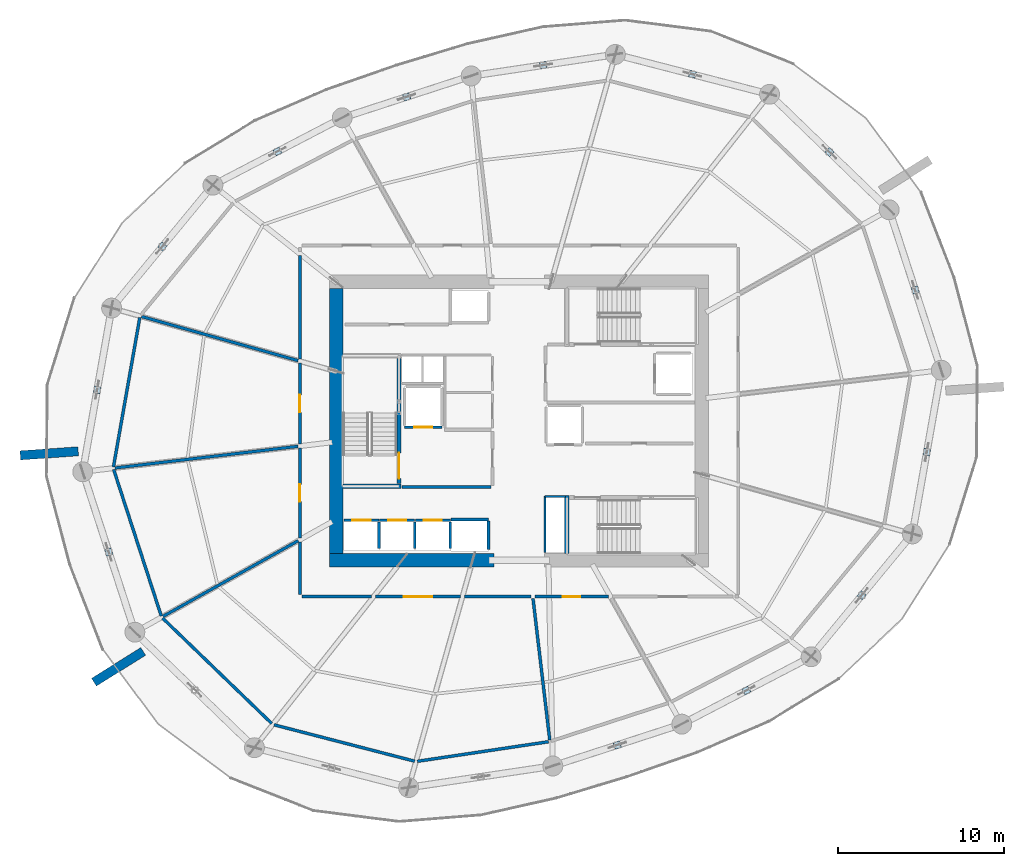
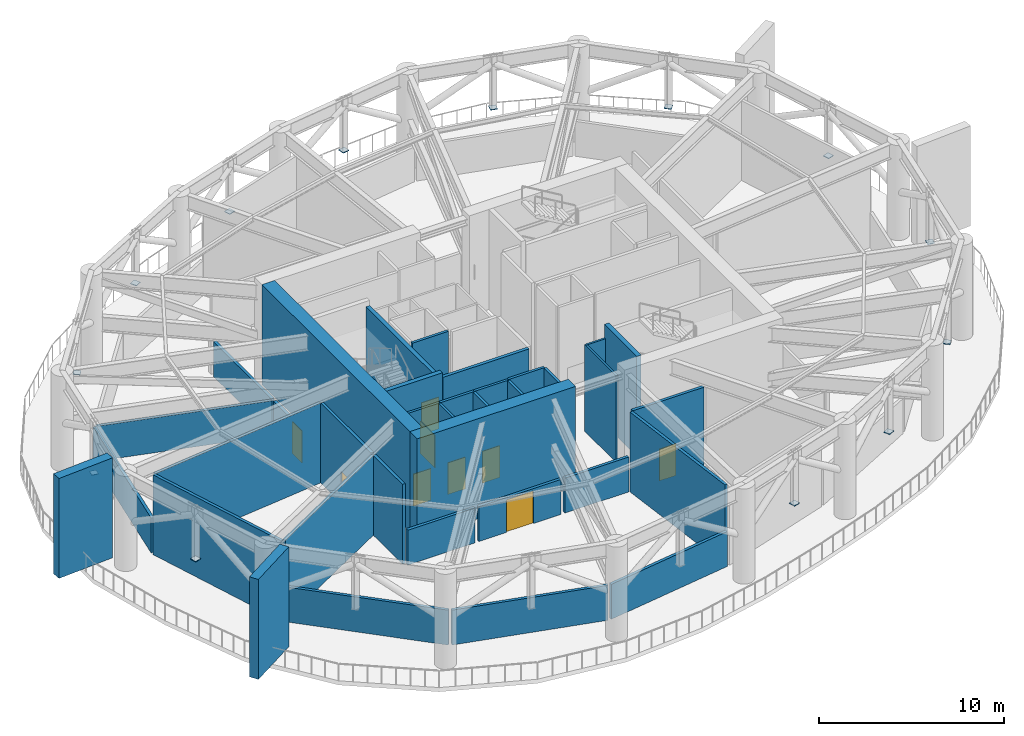
# One storey, part 11 of 19: 36 walls, 13 plates, 9 doors, 9 openings.
"""IFC4 building model written with IfcOpenShell, lengths in metres."""

from ifc_helpers import new_model, si_unit, direction, frame, frame_2d, origin, origin_2d, place, context, subcontext, project, spatial, rectangle, extrude, material, layer, layer_set, type_object, element, fill, save


model = new_model("IFC4")

# Units and contexts
model_context = context("Model", 3, precision=1e-05, world=origin(), true_north=direction((0.0, 1.0)))
body_context = subcontext(model_context, "Body", "Model", "MODEL_VIEW")
ifc_project = project(units=[si_unit("LENGTHUNIT", "METRE"), si_unit("AREAUNIT", "SQUARE_METRE"), si_unit("VOLUMEUNIT", "CUBIC_METRE"), si_unit("PLANEANGLEUNIT", "RADIAN"), si_unit("MASSUNIT", "GRAM", prefix="KILO")], contexts=[model_context])

# Site, building, storey
site_placement = place(None, origin())
site = spatial("IfcSite", under=ifc_project, at=site_placement, CompositionType="ELEMENT")
building_placement = place(site_placement, origin())
building = spatial("IfcBuilding", under=site, at=building_placement, Name="Kazma Halo Residences", CompositionType="ELEMENT")
storey_placement = place(building_placement, frame((0.0, 0.0, 116.39990234375)))
storey = spatial("IfcBuildingStorey", under=building, at=storey_placement, Name="L29", CompositionType="ELEMENT", Elevation=116.39990234375)

# Plates
ifc_material_1 = material(Name="Steel S355", Category="steel")
ifc_layer_1 = layer(ifc_material_1, 0.0400390625)
ifc_layer_set_1 = layer_set([ifc_layer_1], Name="Steel S355")
plate_type = type_object("IfcPlateType", Name="PLT-GUSSET-40", PredefinedType="SHEET", material=ifc_layer_set_1)
for number, where, z_axis, x_axis, name in (
    (1, (67.145263671875, 58.225830078125, 2.780029296875), (0.0, 0.0, 1.0), (-0.719341846867, 0.69465625121, 0.0), "L29 belt-truss post welded cap plate 01"),
    (2, (58.887451171875, 62.91259765625, 2.780029296875), (0.0, 0.0, 1.0), (-0.968126765452, 0.250460707529, 0.0), "L29 belt-truss post welded cap plate 02"),
    (3, (49.88671875, 63.46630859375, 2.780029296875), (0.0, 0.0, 1.0), (-0.989035596895, -0.147677310627, 0.0), "L29 belt-truss post welded cap plate 03"),
    (4, (41.64697265625, 61.552734375, 2.780029296875), (0.0, 0.0, 1.0), (-0.951053654169, -0.309025802956, 0.0), "L29 belt-truss post welded cap plate 04"),
    (5, (33.85595703125, 58.257568359375, 2.780029296875), (0.0, 0.0, 1.0), (-0.886956671645, -0.461852641677, 0.0), "L29 belt-truss post welded cap plate 05"),
    (6, (26.8994140625, 52.519287109375, 2.780029296875), (0.0, 0.0, 1.0), (-0.636001652074, -0.771687694964, 0.0), "L29 belt-truss post welded cap plate 06"),
    (7, (22.9736328125, 43.873779296875, 2.780029296875), (0.0, 0.0, 1.0), (-0.173659066943, -0.984805832877, 0.0), "L29 belt-truss post welded cap plate 07"),
    (8, (23.6748046875, 34.096435546875, 2.780029296875), (0.0, 0.0, 1.0), (0.309018737376, -0.951055949958, 0.0), "L29 belt-truss post welded cap plate 08"),
    (9, (54.35302734375, 22.447265625, 2.780029296875), (0.0, 0.0, 1.0), (0.951053654169, 0.309025802956, 0.0), "L29 belt-truss post welded cap plate 12"),
    (10, (62.14404296875, 25.742431640625, 2.780029296875), (0.0, 0.0, 1.0), (0.886956671645, 0.461852641677, 0.0), "L29 belt-truss post welded cap plate 13"),
    (11, (69.100341796875, 31.480712890625, 2.780029296875), (0.0, 0.0, 1.0), (0.636001652074, 0.771687694964, 0.0), "L29 belt-truss post welded cap plate 14"),
    (12, (73.0263671875, 40.126220703125, 2.780029296875), (0.0, 0.0, 1.0), (0.173659066943, 0.984805832877, 0.0), "L29 belt-truss post welded cap plate 15"),
    (13, (72.3251953125, 49.903564453125, 2.780029296875), (0.0, 0.0, 1.0), (-0.309018737376, 0.951055949958, 0.0), "L29 belt-truss post welded cap plate 16"),
):
    element("IfcPlate", number, at=place(storey_placement, frame(where, z_axis=z_axis, x_axis=x_axis)), inside=storey, type_object=plate_type, Name=name, PredefinedType="SHEET", context=body_context, shape_type="SweptSolid", body=[
        extrude(rectangle(XDim=0.39990234375, YDim=0.39990234375, at=origin_2d()), origin(), (0.0, 0.0, 1.0), 0.0400390625),
    ])

# Walls
ifc_material_2 = material(Name="Pale Concrete C60/75", Category="concrete")
ifc_layer_2 = layer(ifc_material_2, 0.550048828125)
ifc_layer_set_2 = layer_set([ifc_layer_2], Name="Pale Concrete C60/75")
wall_type_1 = type_object("IfcWallType", Name="WL-BLADE-550", PredefinedType="SOLIDWALL", material=ifc_layer_set_2)
for number, where, z_axis, x_axis, name in (
    (14, (21.828125, 40.169921875, 0.0), (0.0, 0.0, 1.0), (-0.997564163539, -0.069754853754, 0.0), "L29 pale concrete structural blade fin wall BW-02"),
    (15, (25.750732421875, 28.09716796875, 0.0), (0.0, 0.0, 1.0), (-0.848033572426, -0.529942506352, 0.0), "L29 pale concrete structural blade fin wall BW-03"),
):
    element("IfcWall", number, at=place(storey_placement, frame(where, z_axis=z_axis, x_axis=x_axis)), inside=storey, type_object=wall_type_1, Name=name, PredefinedType="SOLIDWALL", context=body_context, shape_type="SweptSolid", body=[
        extrude(rectangle(XDim=3.5, YDim=0.550048828125, at=frame_2d((1.75, 0.0))), origin(), (0.0, 0.0, 1.0), 6.60009765625),
    ])
ifc_material_3 = material(Name="Concrete C80/95", Category="concrete")
ifc_layer_3 = layer(ifc_material_3, 0.800048828125)
ifc_layer_set_3 = layer_set([ifc_layer_3], Name="Concrete C80/95")
wall_type_2 = type_object("IfcWallType", Name="WL-CORE-800", PredefinedType="SHEAR", material=ifc_layer_set_3)
wall_1_placement = place(storey_placement, frame((37.0, 33.60009765625, 0.0), z_axis=(0.0, 0.0, 1.0), x_axis=(1.0, 0.0, 0.0)))
element("IfcWall", 16, at=wall_1_placement, inside=storey, type_object=wall_type_2, Name="L29 central core shear wall SW", PredefinedType="SHEAR", context=body_context, shape_type="SweptSolid", body=[
    extrude(rectangle(XDim=9.89990234375, YDim=0.800048828125, at=frame_2d((4.949951171875, 0.0))), origin(), (0.0, 0.0, 1.0), 6.60009765625),
])
wall_2_placement = place(storey_placement, frame((37.39990234375, 34.0, 0.0), z_axis=(0.0, 0.0, 1.0), x_axis=(0.0, 1.0, 0.0)))
element("IfcWall", 17, at=wall_2_placement, inside=storey, type_object=wall_type_2, Name="L29 central core shear wall W", PredefinedType="SHEAR", context=body_context, shape_type="SweptSolid", body=[
    extrude(rectangle(XDim=16.0, YDim=0.800048828125, at=frame_2d((8.0, 0.0))), origin(), (0.0, 0.0, 1.0), 6.60009765625),
])
ifc_material_4 = material(Name="Concrete C60/75", Category="concrete")
ifc_layer_4 = layer(ifc_material_4, 0.280029296875)
ifc_layer_set_4 = layer_set([ifc_layer_4], Name="Concrete C60/75")
wall_type_3 = type_object("IfcWallType", Name="WL-CORE-ST-280", PredefinedType="SHEAR", material=ifc_layer_set_4)
for number, where, z_axis, x_axis, name in (
    (18, (37.800048828125, 38.06005859375, 0.0), (0.0, 0.0, 1.0), (1.0, 0.0, 0.0), "L29 stairwell bearing wall ST01-S"),
    (19, (51.31005859375, 34.0, 0.0), (0.0, 0.0, 1.0), (0.0, 1.0, 0.0), "L29 stairwell bearing wall ST03-W"),
):
    element("IfcWall", number, at=place(storey_placement, frame(where, z_axis=z_axis, x_axis=x_axis)), inside=storey, type_object=wall_type_3, Name=name, PredefinedType="SHEAR", context=body_context, shape_type="SweptSolid", body=[
        extrude(rectangle(XDim=3.5, YDim=0.280029296875, at=frame_2d((1.75, 0.0))), origin(), (0.0, 0.0, 1.0), 6.60009765625),
    ])
ifc_material_5 = material(Name="Acoustic Twin-Stud Gypsum")
ifc_layer_5 = layer(ifc_material_5, 0.179931640625)
ifc_layer_set_5 = layer_set([ifc_layer_5], Name="Acoustic Twin-Stud Gypsum")
wall_type_4 = type_object("IfcWallType", Name="WL-DEM-180", PredefinedType="PARTITIONING", material=ifc_layer_set_5)
wall_3_placement = place(storey_placement, frame((25.546630859375, 48.249755859375, 0.0), z_axis=(0.0, 0.0, 1.0), x_axis=(-0.173665182346, -0.984804754477, 0.0)))
element("IfcWall", 20, at=wall_3_placement, inside=storey, type_object=wall_type_4, Name="L29 refuge acoustic perimeter wall 06", PredefinedType="PARTITIONING", context=body_context, shape_type="SweptSolid", body=[
    extrude(rectangle(XDim=9.157470703125, YDim=0.179931640625, at=frame_2d((4.57861328125, 0.0))), origin(), (0.0, 0.0, 1.0), 2.30419921875),
])
wall_4_placement = place(storey_placement, frame((23.96728515625, 39.076416015625, 0.0), z_axis=(0.0, 0.0, 1.0), x_axis=(0.309006462603, -0.951059938211, 0.0)))
element("IfcWall", 21, at=wall_4_placement, inside=storey, type_object=wall_type_4, Name="L29 refuge acoustic perimeter wall 07", PredefinedType="PARTITIONING", context=body_context, shape_type="SweptSolid", body=[
    extrude(rectangle(XDim=9.292236328125, YDim=0.179931640625, at=frame_2d((4.64599609375, 0.0))), origin(), (0.0, 0.0, 1.0), 5.273193359375),
])
wall_5_placement = place(storey_placement, frame((26.9208984375, 30.107421875, 0.0), z_axis=(0.0, 0.0, 1.0), x_axis=(0.719342658177, -0.694655411069, 0.0)))
element("IfcWall", 22, at=wall_5_placement, inside=storey, type_object=wall_type_4, Name="L29 refuge acoustic perimeter wall 08", PredefinedType="PARTITIONING", context=body_context, shape_type="SweptSolid", body=[
    extrude(rectangle(XDim=9.157470703125, YDim=0.179931640625, at=frame_2d((4.57861328125, 0.0))), origin(), (0.0, 0.0, 1.0), 2.30419921875),
])
wall_6_placement = place(storey_placement, frame((33.643310546875, 23.67041015625, 0.0), z_axis=(0.0, 0.0, 1.0), x_axis=(0.968122342154, -0.250477804651, 0.0)))
element("IfcWall", 23, at=wall_6_placement, inside=storey, type_object=wall_type_4, Name="L29 refuge acoustic perimeter wall 09", PredefinedType="PARTITIONING", context=body_context, shape_type="SweptSolid", body=[
    extrude(rectangle(XDim=8.764404296875, YDim=0.179931640625, at=frame_2d((4.38232421875, 0.0))), origin(), (0.0, 0.0, 1.0), 2.30419921875),
])
wall_7_placement = place(storey_placement, frame((42.284912109375, 21.467041015625, 0.0), z_axis=(0.0, 0.0, 1.0), x_axis=(0.989034471801, 0.147684845497, 0.0)))
element("IfcWall", 24, at=wall_7_placement, inside=storey, type_object=wall_type_4, Name="L29 refuge acoustic perimeter wall 10", PredefinedType="PARTITIONING", context=body_context, shape_type="SweptSolid", body=[
    extrude(rectangle(XDim=8.0126953125, YDim=0.179931640625, at=frame_2d((4.00634765625, 0.0))), origin(), (0.0, 0.0, 1.0), 2.30419921875),
])
wall_8_placement = place(storey_placement, frame((35.199951171875, 51.970703125, 0.0), z_axis=(0.0, 0.0, 1.0), x_axis=(0.0, -1.0, 0.0)))
element("IfcWall", 25, at=wall_8_placement, inside=storey, type_object=wall_type_4, Name="L29 L29 North Refuge Area corridor wall", PredefinedType="PARTITIONING", context=body_context, shape_type="SweptSolid", body=[
    extrude(rectangle(XDim=6.24072265625, YDim=0.179931640625, at=frame_2d((3.120361328125, 0.0))), origin(), (0.0, 0.0, 1.0), 2.30419921875),
])
wall_9_placement = place(storey_placement, frame((35.093994140625, 45.639892578125, 0.0), z_axis=(0.0, 0.0, 1.0), x_axis=(-0.962454179432, 0.271444197754, 0.0)))
element("IfcWall", 26, at=wall_9_placement, inside=storey, type_object=wall_type_4, Name="L29 radial partition wall 06", PredefinedType="PARTITIONING", context=body_context, shape_type="SweptSolid", body=[
    extrude(rectangle(XDim=9.805419921875, YDim=0.179931640625, at=frame_2d((4.90283203125, 0.0))), origin(), (0.0, 0.0, 1.0), 2.30419921875),
])

# Wall, opening, door
wall_10_placement = place(storey_placement, frame((35.199951171875, 45.489990234375, 0.0), z_axis=(0.0, 0.0, 1.0), x_axis=(0.0, -1.0, 0.0)))
wall_10 = element("IfcWall", 27, at=wall_10_placement, inside=storey, type_object=wall_type_4, Name="L29 L29 Primary AHU Mechanical Plant Room corridor wall", PredefinedType="PARTITIONING", context=body_context, shape_type="SweptSolid", body=[
    extrude(rectangle(XDim=4.885009765625, YDim=0.179931640625, at=frame_2d((2.4423828125, 0.0))), origin(), (0.0, 0.0, 1.0), 2.30419921875),
])
opening_1_placement = place(wall_10_placement, frame((1.91748046875, 0.0, 0.0)))
opening_1 = element("IfcOpeningElement", 28, at=opening_1_placement, cuts=wall_10, Name="Opening DF-1050", PredefinedType="OPENING", context=body_context, shape_type="SweptSolid", body=[
    extrude(rectangle(XDim=1.050048828125, YDim=2.10009765625, at=frame_2d((0.52490234375, 1.050048828125))), frame((0.0, 0.099853515625, 0.0), z_axis=(0.0, -1.0, 0.0), x_axis=(1.0, 0.0, 0.0)), (0.0, 0.0, 1.0), 0.199951171875),
])
ifc_material_6 = material(Name="Fire-Rated Steel Leaf", Category="steel")
door_type_1 = type_object("IfcDoorType", Name="DR-FD90-1050", OperationType="NOTDEFINED", PredefinedType="DOOR", material=ifc_material_6)
door_1_placement = place(opening_1_placement, origin())
door_1 = element("IfcDoor", 29, at=door_1_placement, inside=storey, type_object=door_type_1, Name="L29 L29 Primary AHU Mechanical Plant Room door", OperationType="SINGLE_SWING_RIGHT", OverallHeight=2.10009765625, OverallWidth=1.050048828125, PredefinedType="DOOR", context=body_context, shape_type="SweptSolid", body=[
    extrude(rectangle(XDim=1.050048828125, YDim=2.10009765625, at=frame_2d((0.52490234375, 1.050048828125))), frame((0.0, 0.02490234375, 0.0), z_axis=(0.0, -1.0, 0.0), x_axis=(1.0, 0.0, 0.0)), (0.0, 0.0, 1.0), 0.050048828125),
])
fill(opening_1, door_1)

# Wall
wall_11_placement = place(storey_placement, frame((35.0908203125, 40.47216796875, 0.0), z_axis=(0.0, 0.0, 1.0), x_axis=(-0.993067224792, -0.117547807482, 0.0)))
element("IfcWall", 30, at=wall_11_placement, inside=storey, type_object=wall_type_4, Name="L29 radial partition wall 07", PredefinedType="PARTITIONING", context=body_context, shape_type="SweptSolid", body=[
    extrude(rectangle(XDim=11.126220703125, YDim=0.179931640625, at=frame_2d((5.56298828125, 0.0))), origin(), (0.0, 0.0, 1.0), 5.273193359375),
])

# Wall, opening, door
wall_12_placement = place(storey_placement, frame((35.199951171875, 40.364990234375, 0.0), z_axis=(0.0, 0.0, 1.0), x_axis=(0.0, -1.0, 0.0)))
wall_12 = element("IfcWall", 31, at=wall_12_placement, inside=storey, type_object=wall_type_4, Name="L29 L29 Fire Booster Pump Plant Room corridor wall", PredefinedType="PARTITIONING", context=body_context, shape_type="SweptSolid", body=[
    extrude(rectangle(XDim=5.413330078125, YDim=0.179931640625, at=frame_2d((2.70654296875, 0.0))), origin(), (0.0, 0.0, 1.0), 5.273193359375),
])
opening_2_placement = place(wall_12_placement, frame((2.181640625, 0.0, 0.0)))
opening_2 = element("IfcOpeningElement", 32, at=opening_2_placement, cuts=wall_12, Name="Opening DF-1050", PredefinedType="OPENING", context=body_context, shape_type="SweptSolid", body=[
    extrude(rectangle(XDim=1.050048828125, YDim=2.10009765625, at=frame_2d((0.52490234375, 1.050048828125))), frame((0.0, 0.099853515625, 0.0), z_axis=(0.0, -1.0, 0.0), x_axis=(1.0, 0.0, 0.0)), (0.0, 0.0, 1.0), 0.199951171875),
])
door_2_placement = place(opening_2_placement, origin())
door_2 = element("IfcDoor", 33, at=door_2_placement, inside=storey, type_object=door_type_1, Name="L29 L29 Fire Booster Pump Plant Room door", OperationType="SINGLE_SWING_LEFT", OverallHeight=2.10009765625, OverallWidth=1.050048828125, PredefinedType="DOOR", context=body_context, shape_type="SweptSolid", body=[
    extrude(rectangle(XDim=1.050048828125, YDim=2.10009765625, at=frame_2d((0.52490234375, 1.050048828125))), frame((0.0, 0.02490234375, 0.0), z_axis=(0.0, -1.0, 0.0), x_axis=(1.0, 0.0, 0.0)), (0.0, 0.0, 1.0), 0.050048828125),
])
fill(opening_2, door_2)

# Walls
wall_13_placement = place(storey_placement, frame((35.10400390625, 34.778076171875, 0.0), z_axis=(0.0, 0.0, 1.0), x_axis=(-0.872492204965, -0.488628030586, 0.0)))
element("IfcWall", 34, at=wall_13_placement, inside=storey, type_object=wall_type_4, Name="L29 radial partition wall 08", PredefinedType="PARTITIONING", context=body_context, shape_type="SweptSolid", body=[
    extrude(rectangle(XDim=9.344970703125, YDim=0.179931640625, at=frame_2d((4.67236328125, 0.0))), origin(), (0.0, 0.0, 1.0), 5.273193359375),
])
wall_14_placement = place(storey_placement, frame((35.199951171875, 34.711669921875, 0.0), z_axis=(0.0, 0.0, 1.0), x_axis=(0.0, -1.0, 0.0)))
element("IfcWall", 35, at=wall_14_placement, inside=storey, type_object=wall_type_4, Name="L29 L29 West Refuge Area corridor wall", PredefinedType="PARTITIONING", context=body_context, shape_type="SweptSolid", body=[
    extrude(rectangle(XDim=3.191650390625, YDim=0.179931640625, at=frame_2d((1.595703125, 0.0))), origin(), (0.0, 0.0, 1.0), 5.273193359375),
])
wall_15_placement = place(storey_placement, frame((35.320068359375, 31.39990234375, 0.0), z_axis=(0.0, 0.0, 1.0), x_axis=(1.0, 0.0, 0.0)))
element("IfcWall", 36, at=wall_15_placement, inside=storey, type_object=wall_type_4, Name="L29 L29 West Refuge Area corridor wall", PredefinedType="PARTITIONING", context=body_context, shape_type="SweptSolid", body=[
    extrude(rectangle(XDim=4.20361328125, YDim=0.179931640625, at=frame_2d((2.101806640625, 0.0))), origin(), (0.0, 0.0, 1.0), 2.30419921875),
])

# Wall, opening, door
wall_16_placement = place(storey_placement, frame((39.763671875, 31.39990234375, 0.0), z_axis=(0.0, 0.0, 1.0), x_axis=(1.0, 0.0, 0.0)))
wall_16 = element("IfcWall", 37, at=wall_16_placement, inside=storey, type_object=wall_type_4, Name="L29 L29 West Refuge Area corridor wall", PredefinedType="PARTITIONING", context=body_context, shape_type="SweptSolid", body=[
    extrude(rectangle(XDim=5.126708984375, YDim=0.179931640625, at=frame_2d((2.5634765625, 0.0))), origin(), (0.0, 0.0, 1.0), 2.30419921875),
])
opening_3_placement = place(wall_16_placement, frame((1.71337890625, 0.0, 0.0)))
opening_3 = element("IfcOpeningElement", 38, at=opening_3_placement, cuts=wall_16, Name="Opening DL-1800", PredefinedType="OPENING", context=body_context, shape_type="SweptSolid", body=[
    extrude(rectangle(XDim=1.699951171875, YDim=2.14990234375, at=frame_2d((0.85009765625, 1.074951171875))), frame((0.0, 0.099853515625, 0.0), z_axis=(0.0, -1.0, 0.0), x_axis=(1.0, 0.0, 0.0)), (0.0, 0.0, 1.0), 0.199951171875),
])
ifc_material_7 = material(Name="Glazed Aluminium Double Leaf", Category="aluminium")
door_type_2 = type_object("IfcDoorType", Name="DR-LGE-1800", OperationType="NOTDEFINED", PredefinedType="DOOR", material=ifc_material_7)
door_3_placement = place(opening_3_placement, origin())
door_3 = element("IfcDoor", 39, at=door_3_placement, inside=storey, type_object=door_type_2, Name="L29 L29 West Refuge Area door", OperationType="DOUBLE_DOOR_SINGLE_SWING", OverallHeight=2.14990234375, OverallWidth=1.699951171875, PredefinedType="DOOR", context=body_context, shape_type="SweptSolid", body=[
    extrude(rectangle(XDim=1.699951171875, YDim=2.14990234375, at=frame_2d((0.85009765625, 1.074951171875))), frame((0.0, 0.02490234375, 0.0), z_axis=(0.0, -1.0, 0.0), x_axis=(1.0, 0.0, 0.0)), (0.0, 0.0, 1.0), 0.050048828125),
])
fill(opening_3, door_3)

# Walls
wall_17_placement = place(storey_placement, frame((45.130615234375, 31.39990234375, 0.0), z_axis=(0.0, 0.0, 1.0), x_axis=(1.0, 0.0, 0.0)))
element("IfcWall", 40, at=wall_17_placement, inside=storey, type_object=wall_type_4, Name="L29 L29 West Refuge Area corridor wall", PredefinedType="PARTITIONING", context=body_context, shape_type="SweptSolid", body=[
    extrude(rectangle(XDim=4.00390625, YDim=0.179931640625, at=frame_2d((2.001953125, 0.0))), origin(), (0.0, 0.0, 1.0), 2.30419921875),
])
wall_18_placement = place(storey_placement, frame((49.267578125, 31.290771484375, 0.0), z_axis=(0.0, 0.0, 1.0), x_axis=(0.117538852682, -0.993068284717, 0.0)))
element("IfcWall", 41, at=wall_18_placement, inside=storey, type_object=wall_type_4, Name="L29 radial partition wall 11", PredefinedType="PARTITIONING", context=body_context, shape_type="SweptSolid", body=[
    extrude(rectangle(XDim=8.5888671875, YDim=0.179931640625, at=frame_2d((4.29443359375, 0.0))), origin(), (0.0, 0.0, 1.0), 5.273193359375),
])

# Wall, opening, door
wall_19_placement = place(storey_placement, frame((49.37451171875, 31.39990234375, 0.0), z_axis=(0.0, 0.0, 1.0), x_axis=(1.0, 0.0, 0.0)))
wall_19 = element("IfcWall", 42, at=wall_19_placement, inside=storey, type_object=wall_type_4, Name="L29 L29 Smoke Extract Fan Plant Room corridor wall", PredefinedType="PARTITIONING", context=body_context, shape_type="SweptSolid", body=[
    extrude(rectangle(XDim=4.44189453125, YDim=0.179931640625, at=frame_2d((2.220947265625, 0.0))), origin(), (0.0, 0.0, 1.0), 5.273193359375),
])
opening_4_placement = place(wall_19_placement, frame((1.69580078125, 0.0, 0.0)))
opening_4 = element("IfcOpeningElement", 43, at=opening_4_placement, cuts=wall_19, Name="Opening DF-1050", PredefinedType="OPENING", context=body_context, shape_type="SweptSolid", body=[
    extrude(rectangle(XDim=1.050048828125, YDim=2.10009765625, at=frame_2d((0.52490234375, 1.050048828125))), frame((0.0, 0.099853515625, 0.0), z_axis=(0.0, -1.0, 0.0), x_axis=(1.0, 0.0, 0.0)), (0.0, 0.0, 1.0), 0.199951171875),
])
door_4_placement = place(opening_4_placement, origin())
door_4 = element("IfcDoor", 44, at=door_4_placement, inside=storey, type_object=door_type_1, Name="L29 L29 Smoke Extract Fan Plant Room door", OperationType="SINGLE_SWING_LEFT", OverallHeight=2.10009765625, OverallWidth=1.050048828125, PredefinedType="DOOR", context=body_context, shape_type="SweptSolid", body=[
    extrude(rectangle(XDim=1.050048828125, YDim=2.10009765625, at=frame_2d((0.52490234375, 1.050048828125))), frame((0.0, 0.02490234375, 0.0), z_axis=(0.0, -1.0, 0.0), x_axis=(1.0, 0.0, 0.0)), (0.0, 0.0, 1.0), 0.050048828125),
])
fill(opening_4, door_4)

ifc_material_8 = material(Name="Fire-Rated Blockwork Masonry", Category="masonry")
ifc_layer_6 = layer(ifc_material_8, 0.199951171875)
ifc_layer_set_6 = layer_set([ifc_layer_6], Name="Fire-Rated Blockwork Masonry")
wall_type_5 = type_object("IfcWallType", Name="WL-FLB-200", PredefinedType="PARTITIONING", material=ifc_layer_set_6)
wall_20_placement = place(storey_placement, frame((37.864990234375, 36.0048828125, 0.0), z_axis=(0.0, 0.0, 1.0), x_axis=(1.0, 0.0, 0.0)))
wall_20 = element("IfcWall", 45, at=wall_20_placement, inside=storey, type_object=wall_type_5, Name="L29 lift shaft PL-01 front wall", PredefinedType="PARTITIONING", context=body_context, shape_type="SweptSolid", body=[
    extrude(rectangle(XDim=2.110107421875, YDim=0.159912109375, at=frame_2d((1.05517578125, 0.0))), origin(), (0.0, 0.0, 1.0), 6.280029296875),
])
opening_5_placement = place(wall_20_placement, frame((0.5048828125, 0.0, 0.0)))
opening_5 = element("IfcOpeningElement", 46, at=opening_5_placement, cuts=wall_20, Name="Opening LD-PL-01", PredefinedType="OPENING", context=body_context, shape_type="SweptSolid", body=[
    extrude(rectangle(XDim=1.10009765625, YDim=2.10009765625, at=frame_2d((0.550048828125, 1.050048828125))), frame((0.0, 0.08984375, 0.0), z_axis=(0.0, -1.0, 0.0), x_axis=(1.0, 0.0, 0.0)), (0.0, 0.0, 1.0), 0.179931640625),
])
ifc_material_9 = material(Name="Stainless Steel Fire-Rated", Category="steel")
door_type_3 = type_object("IfcDoorType", Name="DR-LIFT-SLD-1100", OperationType="DOUBLE_DOOR_SLIDING", PredefinedType="DOOR", material=ifc_material_9)
door_5_placement = place(opening_5_placement, origin())
door_5 = element("IfcDoor", 47, at=door_5_placement, inside=storey, type_object=door_type_3, Name="L29 lift PL-01 sliding landing door", OperationType="DOUBLE_DOOR_SLIDING", OverallHeight=2.10009765625, OverallWidth=1.10009765625, PredefinedType="DOOR", context=body_context, shape_type="SweptSolid", body=[
    extrude(rectangle(XDim=1.10009765625, YDim=2.10009765625, at=frame_2d((0.550048828125, 1.050048828125))), frame((0.0, 0.02490234375, 0.0), z_axis=(0.0, -1.0, 0.0), x_axis=(1.0, 0.0, 0.0)), (0.0, 0.0, 1.0), 0.050048828125),
])
fill(opening_5, door_5)

# Wall
wall_21_placement = place(storey_placement, frame((39.97509765625, 34.294921875, 0.0), z_axis=(0.0, 0.0, 1.0), x_axis=(0.0, 1.0, 0.0)))
element("IfcWall", 48, at=wall_21_placement, inside=storey, type_object=wall_type_5, Name="L29 lift shaft PL-01 side wall E", PredefinedType="PARTITIONING", context=body_context, shape_type="SweptSolid", body=[
    extrude(rectangle(XDim=1.610107421875, YDim=0.159912109375, at=frame_2d((0.80517578125, 0.0))), origin(), (0.0, 0.0, 1.0), 6.280029296875),
])

# Wall, opening, door
wall_22_placement = place(storey_placement, frame((40.014892578125, 36.0048828125, 0.0), z_axis=(0.0, 0.0, 1.0), x_axis=(1.0, 0.0, 0.0)))
wall_22 = element("IfcWall", 49, at=wall_22_placement, inside=storey, type_object=wall_type_5, Name="L29 lift shaft PL-02 front wall", PredefinedType="PARTITIONING", context=body_context, shape_type="SweptSolid", body=[
    extrude(rectangle(XDim=2.110107421875, YDim=0.159912109375, at=frame_2d((1.05517578125, 0.0))), origin(), (0.0, 0.0, 1.0), 6.280029296875),
])
opening_6_placement = place(wall_22_placement, frame((0.5048828125, 0.0, 0.0)))
opening_6 = element("IfcOpeningElement", 50, at=opening_6_placement, cuts=wall_22, Name="Opening LD-PL-02", PredefinedType="OPENING", context=body_context, shape_type="SweptSolid", body=[
    extrude(rectangle(XDim=1.10009765625, YDim=2.10009765625, at=frame_2d((0.550048828125, 1.050048828125))), frame((0.0, 0.08984375, 0.0), z_axis=(0.0, -1.0, 0.0), x_axis=(1.0, 0.0, 0.0)), (0.0, 0.0, 1.0), 0.179931640625),
])
door_6_placement = place(opening_6_placement, origin())
door_6 = element("IfcDoor", 51, at=door_6_placement, inside=storey, type_object=door_type_3, Name="L29 lift PL-02 sliding landing door", OperationType="DOUBLE_DOOR_SLIDING", OverallHeight=2.10009765625, OverallWidth=1.10009765625, PredefinedType="DOOR", context=body_context, shape_type="SweptSolid", body=[
    extrude(rectangle(XDim=1.10009765625, YDim=2.10009765625, at=frame_2d((0.550048828125, 1.050048828125))), frame((0.0, 0.02490234375, 0.0), z_axis=(0.0, -1.0, 0.0), x_axis=(1.0, 0.0, 0.0)), (0.0, 0.0, 1.0), 0.050048828125),
])
fill(opening_6, door_6)

# Wall
wall_23_placement = place(storey_placement, frame((42.125, 34.294921875, 0.0), z_axis=(0.0, 0.0, 1.0), x_axis=(0.0, 1.0, 0.0)))
element("IfcWall", 52, at=wall_23_placement, inside=storey, type_object=wall_type_5, Name="L29 lift shaft PL-02 side wall E", PredefinedType="PARTITIONING", context=body_context, shape_type="SweptSolid", body=[
    extrude(rectangle(XDim=1.610107421875, YDim=0.159912109375, at=frame_2d((0.80517578125, 0.0))), origin(), (0.0, 0.0, 1.0), 6.280029296875),
])

# Wall, opening, door
wall_24_placement = place(storey_placement, frame((42.1650390625, 36.0048828125, 0.0), z_axis=(0.0, 0.0, 1.0), x_axis=(1.0, 0.0, 0.0)))
wall_24 = element("IfcWall", 53, at=wall_24_placement, inside=storey, type_object=wall_type_5, Name="L29 lift shaft PL-03 front wall", PredefinedType="PARTITIONING", context=body_context, shape_type="SweptSolid", body=[
    extrude(rectangle(XDim=2.10986328125, YDim=0.159912109375, at=frame_2d((1.054931640625, 0.0))), origin(), (0.0, 0.0, 1.0), 6.280029296875),
])
opening_7_placement = place(wall_24_placement, frame((0.5048828125, 0.0, 0.0)))
opening_7 = element("IfcOpeningElement", 54, at=opening_7_placement, cuts=wall_24, Name="Opening LD-PL-03", PredefinedType="OPENING", context=body_context, shape_type="SweptSolid", body=[
    extrude(rectangle(XDim=1.10009765625, YDim=2.10009765625, at=frame_2d((0.550048828125, 1.050048828125))), frame((0.0, 0.08984375, 0.0), z_axis=(0.0, -1.0, 0.0), x_axis=(1.0, 0.0, 0.0)), (0.0, 0.0, 1.0), 0.179931640625),
])
door_7_placement = place(opening_7_placement, origin())
door_7 = element("IfcDoor", 55, at=door_7_placement, inside=storey, type_object=door_type_3, Name="L29 lift PL-03 sliding landing door", OperationType="DOUBLE_DOOR_SLIDING", OverallHeight=2.10009765625, OverallWidth=1.10009765625, PredefinedType="DOOR", context=body_context, shape_type="SweptSolid", body=[
    extrude(rectangle(XDim=1.10009765625, YDim=2.10009765625, at=frame_2d((0.550048828125, 1.050048828125))), frame((0.0, 0.02490234375, 0.0), z_axis=(0.0, -1.0, 0.0), x_axis=(1.0, 0.0, 0.0)), (0.0, 0.0, 1.0), 0.050048828125),
])
fill(opening_7, door_7)

# Walls
wall_25_placement = place(storey_placement, frame((44.27490234375, 34.294921875, 0.0), z_axis=(0.0, 0.0, 1.0), x_axis=(0.0, 1.0, 0.0)))
element("IfcWall", 56, at=wall_25_placement, inside=storey, type_object=wall_type_5, Name="L29 lift shaft PL-03 side wall E", PredefinedType="PARTITIONING", context=body_context, shape_type="SweptSolid", body=[
    extrude(rectangle(XDim=1.610107421875, YDim=0.159912109375, at=frame_2d((0.80517578125, 0.0))), origin(), (0.0, 0.0, 1.0), 6.280029296875),
])
wall_26_placement = place(storey_placement, frame((44.320068359375, 36.054931640625, 0.0), z_axis=(0.0, 0.0, 1.0), x_axis=(1.0, 0.0, 0.0)))
element("IfcWall", 57, at=wall_26_placement, inside=storey, type_object=wall_type_5, Name="L29 lift shaft PX-02 front wall", PredefinedType="PARTITIONING", context=body_context, shape_type="SweptSolid", body=[
    extrude(rectangle(XDim=2.260009765625, YDim=0.159912109375, at=frame_2d((1.1298828125, 0.0))), origin(), (0.0, 0.0, 1.0), 6.280029296875),
])
wall_27_placement = place(storey_placement, frame((46.580078125, 34.2451171875, 0.0), z_axis=(0.0, 0.0, 1.0), x_axis=(0.0, 1.0, 0.0)))
element("IfcWall", 58, at=wall_27_placement, inside=storey, type_object=wall_type_5, Name="L29 lift shaft PX-02 side wall E", PredefinedType="PARTITIONING", context=body_context, shape_type="SweptSolid", body=[
    extrude(rectangle(XDim=1.7099609375, YDim=0.159912109375, at=frame_2d((0.85498046875, 0.0))), origin(), (0.0, 0.0, 1.0), 6.280029296875),
])

# Wall, opening, door
wall_28_placement = place(storey_placement, frame((43.780029296875, 41.6201171875, 0.0), z_axis=(0.0, 0.0, 1.0), x_axis=(-1.0, 0.0, 0.0)))
wall_28 = element("IfcWall", 59, at=wall_28_placement, inside=storey, type_object=wall_type_5, Name="L29 lift shaft FL-01 front wall", PredefinedType="PARTITIONING", context=body_context, shape_type="SweptSolid", body=[
    extrude(rectangle(XDim=2.260009765625, YDim=0.159912109375, at=frame_2d((1.1298828125, 0.0))), origin(), (0.0, 0.0, 1.0), 6.280029296875),
])
opening_8_placement = place(wall_28_placement, frame((0.580078125, 0.0, 0.0)))
opening_8 = element("IfcOpeningElement", 60, at=opening_8_placement, cuts=wall_28, Name="Opening LD-FL-01", PredefinedType="OPENING", context=body_context, shape_type="SweptSolid", body=[
    extrude(rectangle(XDim=1.10009765625, YDim=2.10009765625, at=frame_2d((0.550048828125, 1.050048828125))), frame((0.0, 0.08984375, 0.0), z_axis=(0.0, -1.0, 0.0), x_axis=(1.0, 0.0, 0.0)), (0.0, 0.0, 1.0), 0.179931640625),
])
door_8_placement = place(opening_8_placement, origin())
door_8 = element("IfcDoor", 61, at=door_8_placement, inside=storey, type_object=door_type_3, Name="L29 lift FL-01 sliding landing door", OperationType="DOUBLE_DOOR_SLIDING", OverallHeight=2.10009765625, OverallWidth=1.10009765625, PredefinedType="DOOR", context=body_context, shape_type="SweptSolid", body=[
    extrude(rectangle(XDim=1.10009765625, YDim=2.10009765625, at=frame_2d((0.550048828125, 1.050048828125))), frame((0.0, 0.02490234375, 0.0), z_axis=(0.0, -1.0, 0.0), x_axis=(1.0, 0.0, 0.0)), (0.0, 0.0, 1.0), 0.050048828125),
])
fill(opening_8, door_8)

# Walls
wall_29_placement = place(storey_placement, frame((41.35009765625, 38.02001953125, 0.0), z_axis=(0.0, 0.0, 1.0), x_axis=(1.0, 0.0, 0.0)))
element("IfcWall", 62, at=wall_29_placement, inside=storey, type_object=wall_type_5, Name="L29 west firefighting lobby south smoke wall", PredefinedType="PARTITIONING", context=body_context, shape_type="SweptSolid", body=[
    extrude(rectangle(XDim=5.369873046875, YDim=0.199951171875, at=frame_2d((2.68505859375, 0.0))), origin(), (0.0, 0.0, 1.0), 6.280029296875),
])
ifc_material_10 = material(Name="Gypsum Plasterboard Partition")
ifc_layer_7 = layer(ifc_material_10, 0.125)
ifc_layer_set_7 = layer_set([ifc_layer_7], Name="Gypsum Plasterboard Partition")
wall_type_6 = type_object("IfcWallType", Name="WL-PART-125", PredefinedType="PARTITIONING", material=ifc_layer_set_7)
wall_30_placement = place(storey_placement, frame((49.97998046875, 34.06005859375, 0.0), z_axis=(0.0, 0.0, 1.0), x_axis=(0.0, 1.0, 0.0)))
element("IfcWall", 63, at=wall_30_placement, inside=storey, type_object=wall_type_6, Name="L29 standpipe riser wall", PredefinedType="PARTITIONING", context=body_context, shape_type="SweptSolid", body=[
    extrude(rectangle(XDim=3.39990234375, YDim=0.125, at=frame_2d((1.699951171875, 0.0))), origin(), (0.0, 0.0, 1.0), 5.72021484375),
])
wall_31_placement = place(storey_placement, frame((49.97998046875, 37.43994140625, 0.0), z_axis=(0.0, 0.0, 1.0), x_axis=(1.0, 0.0, 0.0)))
element("IfcWall", 64, at=wall_31_placement, inside=storey, type_object=wall_type_6, Name="L29 standpipe riser north wall", PredefinedType="PARTITIONING", context=body_context, shape_type="SweptSolid", body=[
    extrude(rectangle(XDim=1.260009765625, YDim=0.125, at=frame_2d((0.6298828125, 0.0))), origin(), (0.0, 0.0, 1.0), 5.72021484375),
])

# Wall, opening, door
ifc_material_11 = material(Name="Concrete C50/60", Category="concrete")
ifc_layer_8 = layer(ifc_material_11, 0.25)
ifc_layer_set_8 = layer_set([ifc_layer_8], Name="Concrete C50/60")
wall_type_7 = type_object("IfcWallType", Name="WL-SHF-250", PredefinedType="SOLIDWALL", material=ifc_layer_set_8)
wall_32_placement = place(storey_placement, frame((41.179931640625, 38.219970703125, 0.0), z_axis=(0.0, 0.0, 1.0), x_axis=(0.0, 1.0, 0.0)))
wall_32 = element("IfcWall", 65, at=wall_32_placement, inside=storey, type_object=wall_type_7, Name="L29 exit stair ST-01 enclosure wall", PredefinedType="SOLIDWALL", context=body_context, shape_type="SweptSolid", body=[
    extrude(rectangle(XDim=7.56005859375, YDim=0.25, at=frame_2d((3.780029296875, 0.0))), origin(), (0.0, 0.0, 1.0), 6.280029296875),
])
opening_9_placement = place(wall_32_placement, frame((0.300048828125, 0.0, 0.0)))
opening_9 = element("IfcOpeningElement", 66, at=opening_9_placement, cuts=wall_32, Name="Opening D-ST1", PredefinedType="OPENING", context=body_context, shape_type="SweptSolid", body=[
    extrude(rectangle(XDim=1.550048828125, YDim=2.14990234375, at=frame_2d((0.77490234375, 1.074951171875))), frame((0.0, 0.135009765625, 0.0), z_axis=(0.0, -1.0, 0.0), x_axis=(1.0, 0.0, 0.0)), (0.0, 0.0, 1.0), 0.27001953125),
])
ifc_material_12 = material(Name="Fire-Rated Double Steel Leaf", Category="steel")
door_type_4 = type_object("IfcDoorType", Name="DR-FD90-1550", OperationType="NOTDEFINED", PredefinedType="DOOR", material=ifc_material_12)
door_9_placement = place(opening_9_placement, origin())
door_9 = element("IfcDoor", 67, at=door_9_placement, inside=storey, type_object=door_type_4, Name="L29 exit stair ST-01 fire door", OperationType="DOUBLE_DOOR_SINGLE_SWING", OverallHeight=2.14990234375, OverallWidth=1.550048828125, PredefinedType="DOOR", context=body_context, shape_type="SweptSolid", body=[
    extrude(rectangle(XDim=1.550048828125, YDim=2.14990234375, at=frame_2d((0.77490234375, 1.074951171875))), frame((0.0, 0.02490234375, 0.0), z_axis=(0.0, -1.0, 0.0), x_axis=(1.0, 0.0, 0.0)), (0.0, 0.0, 1.0), 0.050048828125),
])
fill(opening_9, door_9)

save(model, "model.ifc")
